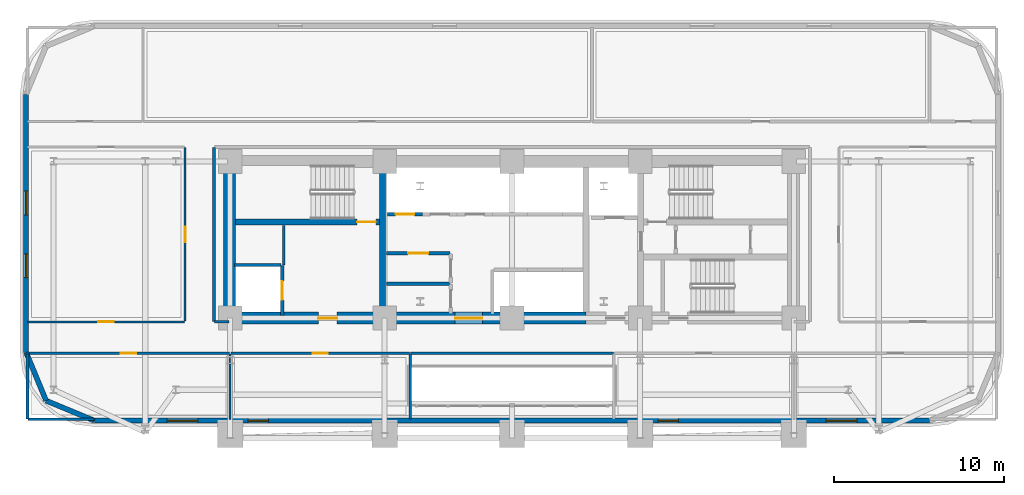
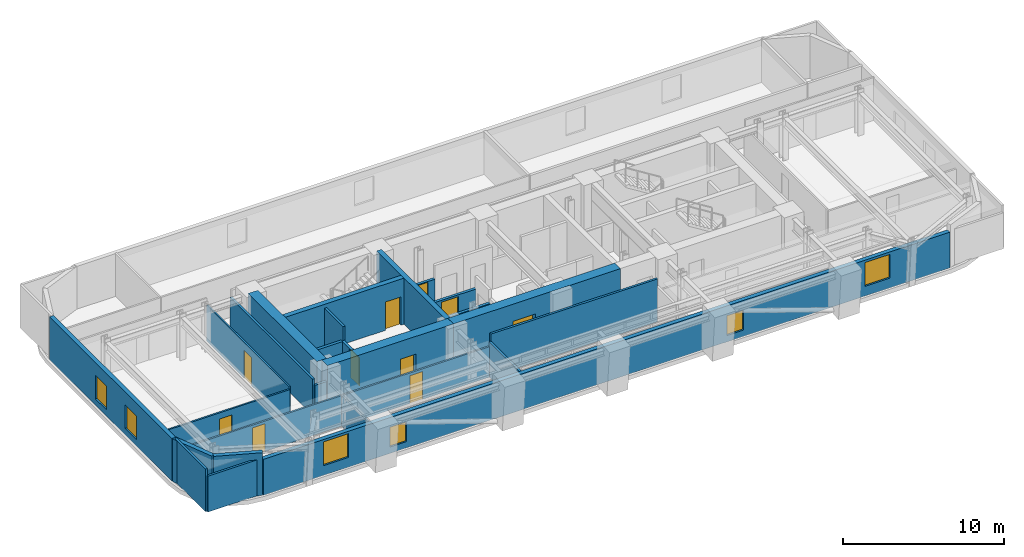
# One storey, part 8 of 15: 26 walls, 10 doors, 6 windows, 16 openings.
"""IFC4 building model written with IfcOpenShell, lengths in metres."""

from ifc_helpers import new_model, si_unit, direction, frame, frame_2d, origin, place, context, subcontext, project, spatial, rectangle, extrude, material, layer, layer_set, type_object, element, fill, save


model = new_model("IFC4")

# Units and contexts
model_context = context("Model", 3, precision=1e-05, world=origin(), true_north=direction((0.0, 1.0)))
body_context = subcontext(model_context, "Body", "Model", "MODEL_VIEW")
ifc_project = project(units=[si_unit("LENGTHUNIT", "METRE"), si_unit("AREAUNIT", "SQUARE_METRE"), si_unit("VOLUMEUNIT", "CUBIC_METRE"), si_unit("PLANEANGLEUNIT", "RADIAN"), si_unit("MASSUNIT", "GRAM", prefix="KILO")], contexts=[model_context])

# Site, building, storey
site_placement = place(None, origin())
site = spatial("IfcSite", under=ifc_project, at=site_placement, CompositionType="ELEMENT")
building_placement = place(site_placement, origin())
building = spatial("IfcBuilding", under=site, at=building_placement, Name="Zarnavel Station Tower", CompositionType="ELEMENT")
storey_placement = place(building_placement, frame((0.0, 0.0, 57.0)))
storey = spatial("IfcBuildingStorey", under=building, at=storey_placement, Name="L15", CompositionType="ELEMENT", Elevation=57.0)

# Wall
ifc_material_1 = material(Name="Concrete C50/60", Category="concrete")
ifc_layer_1 = layer(ifc_material_1, 0.35009765625)
ifc_layer_set_1 = layer_set([ifc_layer_1], Name="CW_350")
wall_type_1 = type_object("IfcWallType", Name="CW_350", PredefinedType="SHEAR", material=ifc_layer_set_1)
wall_1_placement = place(storey_placement, frame((21.179931640625, 28.169921875, 0.0), z_axis=(0.0, 0.0, 1.0), x_axis=(0.0, 1.0, 0.0)))
element("IfcWall", 1, at=wall_1_placement, inside=storey, type_object=wall_type_1, Name="L15 Rear Core Shear Wall DIV-W", PredefinedType="SHEAR", context=body_context, shape_type="SweptSolid", body=[
    extrude(rectangle(XDim=8.530029296875, YDim=0.35009765625, at=frame_2d((4.26513671875, 0.0))), origin(), (0.0, 0.0, 1.0), 3.5),
])

# Wall, opening, door
wall_2_placement = place(storey_placement, frame((21.0048828125, 33.47998046875, 0.0), z_axis=(0.0, 0.0, 1.0), x_axis=(-1.0, 0.0, 0.0)))
wall_2 = element("IfcWall", 2, at=wall_2_placement, inside=storey, type_object=wall_type_1, Name="L15 Rear Core Shear Wall DIV-H1", PredefinedType="SHEAR", context=body_context, shape_type="SweptSolid", body=[
    extrude(rectangle(XDim=8.5048828125, YDim=0.35009765625, at=frame_2d((4.25244140625, 0.0))), origin(), (0.0, 0.0, 1.0), 3.5),
])
opening_1_placement = place(wall_2_placement, frame((0.219970703125, 0.0, 0.0)))
opening_1 = element("IfcOpeningElement", 3, at=opening_1_placement, cuts=wall_2, Name="Opening FD01", PredefinedType="OPENING", context=body_context, shape_type="SweptSolid", body=[
    extrude(rectangle(XDim=1.10009765625, YDim=2.14990234375, at=frame_2d((0.550048828125, 1.074951171875))), frame((0.0, 0.18505859375, 0.0), z_axis=(0.0, -1.0, 0.0), x_axis=(1.0, 0.0, 0.0)), (0.0, 0.0, 1.0), 0.3701171875),
])
ifc_material_2 = material(Name="Painted Galvanised Steel and Hardwood Leaf", Category="steel")
door_type_1 = type_object("IfcDoorType", Name="ID_STAIR_1100", OperationType="NOTDEFINED", PredefinedType="DOOR", material=ifc_material_2)
door_1_placement = place(opening_1_placement, origin())
door_1 = element("IfcDoor", 4, at=door_1_placement, inside=storey, type_object=door_type_1, Name="L15 Stair ST1 Lobby Fire Door", OperationType="SINGLE_SWING_LEFT", OverallHeight=2.14990234375, OverallWidth=1.10009765625, PredefinedType="DOOR", context=body_context, shape_type="SweptSolid", body=[
    extrude(rectangle(XDim=1.10009765625, YDim=2.14990234375, at=frame_2d((0.550048828125, 1.074951171875))), frame((0.0, 0.02490234375, 0.0), z_axis=(0.0, -1.0, 0.0), x_axis=(1.0, 0.0, 0.0)), (0.0, 0.0, 1.0), 0.050048828125),
])
fill(opening_1, door_1)

ifc_material_3 = material(Name="Concrete C60/75", Category="concrete")
ifc_layer_2 = layer(ifc_material_3, 0.699951171875)
ifc_layer_set_2 = layer_set([ifc_layer_2], Name="CW_700")
wall_type_2 = type_object("IfcWallType", Name="CW_700", PredefinedType="SHEAR", material=ifc_layer_set_2)
wall_3_placement = place(storey_placement, frame((21.179931640625, 27.820068359375, 0.0), z_axis=(0.0, 0.0, 1.0), x_axis=(-1.0, 0.0, 0.0)))
wall_3 = element("IfcWall", 5, at=wall_3_placement, inside=storey, type_object=wall_type_2, Name="L15 Rear Core Shear Wall S-W", PredefinedType="SHEAR", context=body_context, shape_type="SweptSolid", body=[
    extrude(rectangle(XDim=9.030029296875, YDim=0.699951171875, at=frame_2d((4.51513671875, 0.0))), origin(), (0.0, 0.0, 1.0), 3.5),
])
opening_2_placement = place(wall_3_placement, frame((2.679931640625, 0.0, 0.0)))
opening_2 = element("IfcOpeningElement", 6, at=opening_2_placement, cuts=wall_3, Name="Opening FD01", PredefinedType="OPENING", context=body_context, shape_type="SweptSolid", body=[
    extrude(rectangle(XDim=1.10009765625, YDim=2.14990234375, at=frame_2d((0.550048828125, 1.074951171875))), frame((0.0, 0.35986328125, 0.0), z_axis=(0.0, -1.0, 0.0), x_axis=(1.0, 0.0, 0.0)), (0.0, 0.0, 1.0), 0.719970703125),
])
door_2_placement = place(opening_2_placement, origin())
door_2 = element("IfcDoor", 7, at=door_2_placement, inside=storey, type_object=door_type_1, Name="L15 West Firefighting Lobby Door", OperationType="SINGLE_SWING_RIGHT", OverallHeight=2.14990234375, OverallWidth=1.10009765625, PredefinedType="DOOR", context=body_context, shape_type="SweptSolid", body=[
    extrude(rectangle(XDim=1.10009765625, YDim=2.14990234375, at=frame_2d((0.550048828125, 1.074951171875))), frame((0.0, 0.02490234375, 0.0), z_axis=(0.0, -1.0, 0.0), x_axis=(1.0, 0.0, 0.0)), (0.0, 0.0, 1.0), 0.050048828125),
])
fill(opening_2, door_2)

wall_4_placement = place(storey_placement, frame((33.14990234375, 27.820068359375, 0.0), z_axis=(0.0, 0.0, 1.0), x_axis=(-1.0, 0.0, 0.0)))
wall_4 = element("IfcWall", 8, at=wall_4_placement, inside=storey, type_object=wall_type_2, Name="L15 Rear Core Shear Wall S-M", PredefinedType="SHEAR", context=body_context, shape_type="SweptSolid", body=[
    extrude(rectangle(XDim=11.969970703125, YDim=0.699951171875, at=frame_2d((5.98486328125, 0.0))), origin(), (0.0, 0.0, 1.0), 3.5),
])
opening_3_placement = place(wall_4_placement, frame((6.10009765625, 0.0, 0.0)))
opening_3 = element("IfcOpeningElement", 9, at=opening_3_placement, cuts=wall_4, Name="Opening ID03", PredefinedType="OPENING", context=body_context, shape_type="SweptSolid", body=[
    extrude(rectangle(XDim=1.60009765625, YDim=2.199951171875, at=frame_2d((0.800048828125, 1.10009765625))), frame((0.0, 0.35986328125, 0.0), z_axis=(0.0, -1.0, 0.0), x_axis=(1.0, 0.0, 0.0)), (0.0, 0.0, 1.0), 0.719970703125),
])
ifc_material_4 = material(Name="Painted Galvanised Steel and Hardwood Leaf", Category="steel")
door_type_2 = type_object("IfcDoorType", Name="ID_PUBLIC_1600", OperationType="DOUBLE_DOOR_SINGLE_SWING", PredefinedType="DOOR", material=ifc_material_4)
door_3_placement = place(opening_3_placement, origin())
door_3 = element("IfcDoor", 10, at=door_3_placement, inside=storey, type_object=door_type_2, Name="L15 Passenger Lift Lobby Double Door", OperationType="SINGLE_SWING_LEFT", OverallHeight=2.199951171875, OverallWidth=1.60009765625, PredefinedType="DOOR", context=body_context, shape_type="SweptSolid", body=[
    extrude(rectangle(XDim=1.60009765625, YDim=2.199951171875, at=frame_2d((0.800048828125, 1.10009765625))), frame((0.0, 0.02490234375, 0.0), z_axis=(0.0, -1.0, 0.0), x_axis=(1.0, 0.0, 0.0)), (0.0, 0.0, 1.0), 0.050048828125),
])
fill(opening_3, door_3)

# Wall
wall_5_placement = place(storey_placement, frame((12.14990234375, 28.169921875, 0.0), z_axis=(0.0, 0.0, 1.0), x_axis=(0.0, 1.0, 0.0)))
element("IfcWall", 11, at=wall_5_placement, inside=storey, type_object=wall_type_2, Name="L15 Rear Core Shear Wall W", PredefinedType="SHEAR", context=body_context, shape_type="SweptSolid", body=[
    extrude(rectangle(XDim=8.530029296875, YDim=0.699951171875, at=frame_2d((4.26513671875, 0.0))), origin(), (0.0, 0.0, 1.0), 3.5),
])

# Wall, openings, windows
ifc_material_5 = material(Name="Precast concrete C45/55 (Dark Basalt Finish)", Category="masonry")
ifc_layer_3 = layer(ifc_material_5, 0.300048828125)
ifc_layer_set_3 = layer_set([ifc_layer_3], Name="EW_BASALT_300")
wall_type_3 = type_object("IfcWallType", Name="EW_BASALT_300", PredefinedType="SOLIDWALL", material=ifc_layer_set_3)
wall_6_placement = place(storey_placement, frame((0.179931640625, 25.800048828125, 0.0), z_axis=(0.0, 0.0, 1.0), x_axis=(0.0, 1.0, 0.0)))
wall_6 = element("IfcWall", 12, at=wall_6_placement, inside=storey, type_object=wall_type_3, Name="L15 Exterior Basalt Masonry Frame Wall 09", PredefinedType="SOLIDWALL", context=body_context, shape_type="SweptSolid", body=[
    extrude(rectangle(XDim=15.199951171875, YDim=0.300048828125, at=frame_2d((7.60009765625, 0.0))), origin(), (0.0, 0.0, 1.0), 3.239990234375),
])
opening_4_placement = place(wall_6_placement, frame((4.39990234375, 0.0, 0.47998046875)))
opening_4 = element("IfcOpeningElement", 13, at=opening_4_placement, cuts=wall_6, Name="Opening WN01", PredefinedType="OPENING", context=body_context, shape_type="SweptSolid", body=[
    extrude(rectangle(XDim=1.39990234375, YDim=1.800048828125, at=frame_2d((0.699951171875, 0.89990234375))), frame((0.0, 0.159912109375, 0.0), z_axis=(0.0, -1.0, 0.0), x_axis=(1.0, 0.0, 0.0)), (0.0, 0.0, 1.0), 0.320068359375),
])
opening_5_placement = place(wall_6_placement, frame((8.10009765625, 0.0, 0.47998046875)))
opening_5 = element("IfcOpeningElement", 14, at=opening_5_placement, cuts=wall_6, Name="Opening WN01", PredefinedType="OPENING", context=body_context, shape_type="SweptSolid", body=[
    extrude(rectangle(XDim=1.39990234375, YDim=1.800048828125, at=frame_2d((0.699951171875, 0.89990234375))), frame((0.0, 0.159912109375, 0.0), z_axis=(0.0, -1.0, 0.0), x_axis=(1.0, 0.0, 0.0)), (0.0, 0.0, 1.0), 0.320068359375),
])
ifc_material_6 = material(Name="Thermally Broken Black Aluminium and Low-E Dark Glass", Category="aluminium")
window_type_1 = type_object("IfcWindowType", Name="WN_1400x1800", PartitioningType="DOUBLE_PANEL_VERTICAL", PredefinedType="WINDOW", material=ifc_material_6)
window_1_placement = place(opening_4_placement, origin())
window_1 = element("IfcWindow", 15, at=window_1_placement, inside=storey, type_object=window_type_1, Name="L15 Recessed Facade Window 01", OverallHeight=1.800048828125, OverallWidth=1.39990234375, PartitioningType="SINGLE_PANEL", PredefinedType="WINDOW", context=body_context, shape_type="SweptSolid", body=[
    extrude(rectangle(XDim=1.39990234375, YDim=1.800048828125, at=frame_2d((0.699951171875, 0.89990234375))), frame((0.0, 0.030029296875, 0.0), z_axis=(0.0, -1.0, 0.0), x_axis=(1.0, 0.0, 0.0)), (0.0, 0.0, 1.0), 0.06005859375),
])
fill(opening_4, window_1)
window_2_placement = place(opening_5_placement, origin())
window_2 = element("IfcWindow", 16, at=window_2_placement, inside=storey, type_object=window_type_1, Name="L15 Recessed Facade Window 02", OverallHeight=1.800048828125, OverallWidth=1.39990234375, PartitioningType="SINGLE_PANEL", PredefinedType="WINDOW", context=body_context, shape_type="SweptSolid", body=[
    extrude(rectangle(XDim=1.39990234375, YDim=1.800048828125, at=frame_2d((0.699951171875, 0.89990234375))), frame((0.0, 0.030029296875, 0.0), z_axis=(0.0, -1.0, 0.0), x_axis=(1.0, 0.0, 0.0)), (0.0, 0.0, 1.0), 0.06005859375),
])
fill(opening_5, window_2)

# Walls
for number, where, z_axis, x_axis, name in (
    (17, (1.357421875, 22.95751953125, 0.0), (0.0, 0.0, 1.0), (-0.382704529509, 0.923870793506, 0.0), "L15 Exterior Basalt Masonry Frame Wall 10"),
    (18, (4.199951171875, 21.780029296875, 0.0), (0.0, 0.0, 1.0), (-0.923870793506, 0.382704529509, 0.0), "L15 Exterior Basalt Masonry Frame Wall 11"),
):
    element("IfcWall", number, at=place(storey_placement, frame(where, z_axis=z_axis, x_axis=x_axis)), inside=storey, type_object=wall_type_3, Name=name, PredefinedType="SOLIDWALL", context=body_context, shape_type="SweptSolid", body=[
        extrude(rectangle(XDim=3.07666015625, YDim=0.300048828125, at=frame_2d((1.538330078125, 0.0))), origin(), (0.0, 0.0, 1.0), 3.239990234375),
    ])

# Wall, openings, windows
wall_7_placement = place(storey_placement, frame((53.39990234375, 21.780029296875, 0.0), z_axis=(0.0, 0.0, 1.0), x_axis=(-1.0, 0.0, 0.0)))
wall_7 = element("IfcWall", 19, at=wall_7_placement, inside=storey, type_object=wall_type_3, Name="L15 Exterior Basalt Masonry Frame Wall 12", PredefinedType="SOLIDWALL", context=body_context, shape_type="SweptSolid", body=[
    extrude(rectangle(XDim=49.199951171875, YDim=0.300048828125, at=frame_2d((24.60009765625, 0.0))), origin(), (0.0, 0.0, 1.0), 2.719970703125),
])
opening_6_placement = place(wall_7_placement, frame((43.109375, 0.0, 0.739990234375)))
opening_6 = element("IfcOpeningElement", 20, at=opening_6_placement, cuts=wall_7, Name="Opening WN02", PredefinedType="OPENING", context=body_context, shape_type="SweptSolid", body=[
    extrude(rectangle(XDim=1.800048828125, YDim=1.800048828125, at=frame_2d((0.89990234375, 0.89990234375))), frame((0.0, 0.159912109375, 0.0), z_axis=(0.0, -1.0, 0.0), x_axis=(1.0, 0.0, 0.0)), (0.0, 0.0, 1.0), 0.320068359375),
])
opening_7_placement = place(wall_7_placement, frame((38.9482421875, 0.0, 0.47998046875)))
opening_7 = element("IfcOpeningElement", 21, at=opening_7_placement, cuts=wall_7, Name="Opening WN08", PredefinedType="OPENING", context=body_context, shape_type="SweptSolid", body=[
    extrude(rectangle(XDim=1.199951171875, YDim=1.5, at=frame_2d((0.60009765625, 0.75))), frame((0.0, 0.159912109375, 0.0), z_axis=(0.0, -1.0, 0.0), x_axis=(1.0, 0.0, 0.0)), (0.0, 0.0, 1.0), 0.320068359375),
])
opening_8_placement = place(wall_7_placement, frame((14.79833984375, 0.0, 0.47998046875)))
opening_8 = element("IfcOpeningElement", 22, at=opening_8_placement, cuts=wall_7, Name="Opening WN08", PredefinedType="OPENING", context=body_context, shape_type="SweptSolid", body=[
    extrude(rectangle(XDim=1.199951171875, YDim=1.5, at=frame_2d((0.60009765625, 0.75))), frame((0.0, 0.159912109375, 0.0), z_axis=(0.0, -1.0, 0.0), x_axis=(1.0, 0.0, 0.0)), (0.0, 0.0, 1.0), 0.320068359375),
])
opening_9_placement = place(wall_7_placement, frame((4.29052734375, 0.0, 0.739990234375)))
opening_9 = element("IfcOpeningElement", 23, at=opening_9_placement, cuts=wall_7, Name="Opening WN02", PredefinedType="OPENING", context=body_context, shape_type="SweptSolid", body=[
    extrude(rectangle(XDim=1.800048828125, YDim=1.800048828125, at=frame_2d((0.89990234375, 0.89990234375))), frame((0.0, 0.159912109375, 0.0), z_axis=(0.0, -1.0, 0.0), x_axis=(1.0, 0.0, 0.0)), (0.0, 0.0, 1.0), 0.320068359375),
])
ifc_material_7 = material(Name="Thermally Broken Black Aluminium and Low-E Dark Glass", Category="aluminium")
window_type_2 = type_object("IfcWindowType", Name="WN_1200x1500", PartitioningType="SINGLE_PANEL", PredefinedType="WINDOW", material=ifc_material_7)
window_3_placement = place(opening_7_placement, origin())
window_3 = element("IfcWindow", 24, at=window_3_placement, inside=storey, type_object=window_type_2, Name="L15 Recessed Facade Window 02", OverallHeight=1.5, OverallWidth=1.199951171875, PartitioningType="SINGLE_PANEL", PredefinedType="WINDOW", context=body_context, shape_type="SweptSolid", body=[
    extrude(rectangle(XDim=1.199951171875, YDim=1.5, at=frame_2d((0.60009765625, 0.75))), frame((0.0, 0.030029296875, 0.0), z_axis=(0.0, -1.0, 0.0), x_axis=(1.0, 0.0, 0.0)), (0.0, 0.0, 1.0), 0.06005859375),
])
fill(opening_7, window_3)
window_4_placement = place(opening_8_placement, origin())
window_4 = element("IfcWindow", 25, at=window_4_placement, inside=storey, type_object=window_type_2, Name="L15 Recessed Facade Window 03", OverallHeight=1.5, OverallWidth=1.199951171875, PartitioningType="SINGLE_PANEL", PredefinedType="WINDOW", context=body_context, shape_type="SweptSolid", body=[
    extrude(rectangle(XDim=1.199951171875, YDim=1.5, at=frame_2d((0.60009765625, 0.75))), frame((0.0, 0.030029296875, 0.0), z_axis=(0.0, -1.0, 0.0), x_axis=(1.0, 0.0, 0.0)), (0.0, 0.0, 1.0), 0.06005859375),
])
fill(opening_8, window_4)
ifc_material_8 = material(Name="Thermally Broken Black Aluminium and Low-E Dark Glass", Category="aluminium")
window_type_3 = type_object("IfcWindowType", Name="WN_1800x1800", PartitioningType="DOUBLE_PANEL_VERTICAL", PredefinedType="WINDOW", material=ifc_material_8)
window_5_placement = place(opening_6_placement, origin())
window_5 = element("IfcWindow", 26, at=window_5_placement, inside=storey, type_object=window_type_3, Name="L15 Recessed Facade Window 01", OverallHeight=1.800048828125, OverallWidth=1.800048828125, PartitioningType="SINGLE_PANEL", PredefinedType="WINDOW", context=body_context, shape_type="SweptSolid", body=[
    extrude(rectangle(XDim=1.800048828125, YDim=1.800048828125, at=frame_2d((0.89990234375, 0.89990234375))), frame((0.0, 0.030029296875, 0.0), z_axis=(0.0, -1.0, 0.0), x_axis=(1.0, 0.0, 0.0)), (0.0, 0.0, 1.0), 0.06005859375),
])
fill(opening_6, window_5)
window_6_placement = place(opening_9_placement, origin())
window_6 = element("IfcWindow", 27, at=window_6_placement, inside=storey, type_object=window_type_3, Name="L15 Recessed Facade Window 04", OverallHeight=1.800048828125, OverallWidth=1.800048828125, PartitioningType="SINGLE_PANEL", PredefinedType="WINDOW", context=body_context, shape_type="SweptSolid", body=[
    extrude(rectangle(XDim=1.800048828125, YDim=1.800048828125, at=frame_2d((0.89990234375, 0.89990234375))), frame((0.0, 0.030029296875, 0.0), z_axis=(0.0, -1.0, 0.0), x_axis=(1.0, 0.0, 0.0)), (0.0, 0.0, 1.0), 0.06005859375),
])
fill(opening_9, window_6)

# Walls
ifc_material_9 = material(Name="Gypsum Twin-Stud Acoustic Fire Partition", Category="concrete")
ifc_layer_4 = layer(ifc_material_9, 0.159912109375)
ifc_layer_set_4 = layer_set([ifc_layer_4], Name="PT_DEMISE_160")
wall_type_4 = type_object("IfcWallType", Name="PT_DEMISE_160", PredefinedType="PARTITIONING", material=ifc_layer_set_4)
wall_8_placement = place(storey_placement, frame((15.35009765625, 30.9599609375, 0.0), z_axis=(0.0, 0.0, 1.0), x_axis=(0.0, 1.0, 0.0)))
element("IfcWall", 28, at=wall_8_placement, inside=storey, type_object=wall_type_4, Name="L15 Enclosure Wall FFL1", PredefinedType="PARTITIONING", context=body_context, shape_type="SweptSolid", body=[
    extrude(rectangle(XDim=2.31005859375, YDim=0.159912109375, at=frame_2d((1.155029296875, 0.0))), origin(), (0.0, 0.0, 1.0), 3.239990234375),
])
wall_9_placement = place(storey_placement, frame((22.830078125, 25.75, 0.0), z_axis=(0.0, 0.0, 1.0), x_axis=(1.0, 0.0, 0.0)))
element("IfcWall", 29, at=wall_9_placement, inside=storey, type_object=wall_type_4, Name="L15 Enclosure Wall COR-S", PredefinedType="PARTITIONING", context=body_context, shape_type="SweptSolid", body=[
    extrude(rectangle(XDim=11.93994140625, YDim=0.159912109375, at=frame_2d((5.969970703125, 0.0))), origin(), (0.0, 0.0, 1.0), 3.239990234375),
])
wall_10_placement = place(storey_placement, frame((11.280029296875, 27.60009765625, 0.0), z_axis=(0.0, 0.0, 1.0), x_axis=(1.0, 0.0, 0.0)))
element("IfcWall", 30, at=wall_10_placement, inside=storey, type_object=wall_type_4, Name="L15 Enclosure Wall COR-S", PredefinedType="PARTITIONING", context=body_context, shape_type="SweptSolid", body=[
    extrude(rectangle(XDim=0.840087890625, YDim=0.159912109375, at=frame_2d((0.419921875, 0.0))), origin(), (0.0, 0.0, 1.0), 2.280029296875),
])
wall_11_placement = place(storey_placement, frame((11.25, 27.6298828125, 0.0), z_axis=(0.0, 0.0, 1.0), x_axis=(0.0, 1.0, 0.0)))
element("IfcWall", 31, at=wall_11_placement, inside=storey, type_object=wall_type_4, Name="L15 Enclosure Wall COR-W", PredefinedType="PARTITIONING", context=body_context, shape_type="SweptSolid", body=[
    extrude(rectangle(XDim=10.240234375, YDim=0.159912109375, at=frame_2d((5.1201171875, 0.0))), origin(), (0.0, 0.0, 1.0), 2.719970703125),
])
wall_12_placement = place(storey_placement, frame((0.2900390625, 21.860107421875, 0.0), z_axis=(0.0, 0.0, 1.0), x_axis=(1.0, 0.0, 0.0)))
element("IfcWall", 32, at=wall_12_placement, inside=storey, type_object=wall_type_4, Name="L15 Enclosure Wall Z1GAL", PredefinedType="PARTITIONING", context=body_context, shape_type="SweptSolid", body=[
    extrude(rectangle(XDim=3.8798828125, YDim=0.159912109375, at=frame_2d((1.93994140625, 0.0))), origin(), (0.0, 0.0, 1.0), 2.719970703125),
])
wall_13_placement = place(storey_placement, frame((0.260009765625, 21.889892578125, 0.0), z_axis=(0.0, 0.0, 1.0), x_axis=(0.0, 1.0, 0.0)))
element("IfcWall", 33, at=wall_13_placement, inside=storey, type_object=wall_type_4, Name="L15 Enclosure Wall Z1GAL", PredefinedType="PARTITIONING", context=body_context, shape_type="SweptSolid", body=[
    extrude(rectangle(XDim=3.830078125, YDim=0.159912109375, at=frame_2d((1.9150390625, 0.0))), origin(), (0.0, 0.0, 1.0), 3.239990234375),
])
wall_14_placement = place(storey_placement, frame((22.800048828125, 21.889892578125, 0.0), z_axis=(0.0, 0.0, 1.0), x_axis=(0.0, 1.0, 0.0)))
element("IfcWall", 34, at=wall_14_placement, inside=storey, type_object=wall_type_4, Name="L15 Enclosure Wall Z1LIB", PredefinedType="PARTITIONING", context=body_context, shape_type="SweptSolid", body=[
    extrude(rectangle(XDim=3.830078125, YDim=0.159912109375, at=frame_2d((1.9150390625, 0.0))), origin(), (0.0, 0.0, 1.0), 2.679931640625),
])

# Wall, opening, door
ifc_material_10 = material(Name="Gypsum Metal-Stud Interior Partition", Category="concrete")
ifc_layer_5 = layer(ifc_material_10, 0.1201171875)
ifc_layer_set_5 = layer_set([ifc_layer_5], Name="PT_ROOM_120")
wall_type_5 = type_object("IfcWallType", Name="PT_ROOM_120", PredefinedType="PARTITIONING", material=ifc_layer_set_5)
wall_15_placement = place(storey_placement, frame((0.260009765625, 27.60009765625, 0.0), z_axis=(0.0, 0.0, 1.0), x_axis=(1.0, 0.0, 0.0)))
wall_15 = element("IfcWall", 35, at=wall_15_placement, inside=storey, type_object=wall_type_5, Name="L15 Partition COR-S-FNW4", PredefinedType="PARTITIONING", context=body_context, shape_type="SweptSolid", body=[
    extrude(rectangle(XDim=9.25, YDim=0.1201171875, at=frame_2d((4.625, 0.0))), origin(), (0.0, 0.0, 1.0), 2.570068359375),
])
opening_10_placement = place(wall_15_placement, frame((4.175048828125, 0.0, 0.0)))
opening_10 = element("IfcOpeningElement", 36, at=opening_10_placement, cuts=wall_15, Name="Opening ID01", PredefinedType="OPENING", context=body_context, shape_type="SweptSolid", body=[
    extrude(rectangle(XDim=0.89990234375, YDim=2.10009765625, at=frame_2d((0.449951171875, 1.050048828125))), frame((0.0, 0.070068359375, 0.0), z_axis=(0.0, -1.0, 0.0), x_axis=(1.0, 0.0, 0.0)), (0.0, 0.0, 1.0), 0.14013671875),
])
ifc_material_11 = material(Name="Painted Galvanised Steel and Hardwood Leaf", Category="steel")
door_type_3 = type_object("IfcDoorType", Name="ID_ROOM_900", OperationType="NOTDEFINED", PredefinedType="DOOR", material=ifc_material_11)
door_4_placement = place(opening_10_placement, origin())
door_4 = element("IfcDoor", 37, at=door_4_placement, inside=storey, type_object=door_type_3, Name="L15 Door COR-S-FNW4", OperationType="SINGLE_SWING_RIGHT", OverallHeight=2.10009765625, OverallWidth=0.89990234375, PredefinedType="DOOR", context=body_context, shape_type="SweptSolid", body=[
    extrude(rectangle(XDim=0.89990234375, YDim=2.10009765625, at=frame_2d((0.449951171875, 1.050048828125))), frame((0.0, 0.02490234375, 0.0), z_axis=(0.0, -1.0, 0.0), x_axis=(1.0, 0.0, 0.0)), (0.0, 0.0, 1.0), 0.050048828125),
])
fill(opening_10, door_4)

wall_16_placement = place(storey_placement, frame((0.260009765625, 25.75, 0.0), z_axis=(0.0, 0.0, 1.0), x_axis=(1.0, 0.0, 0.0)))
wall_16 = element("IfcWall", 38, at=wall_16_placement, inside=storey, type_object=wall_type_5, Name="L15 Partition COR-S-Z1GAL", PredefinedType="PARTITIONING", context=body_context, shape_type="SweptSolid", body=[
    extrude(rectangle(XDim=11.89990234375, YDim=0.1201171875, at=frame_2d((5.949951171875, 0.0))), origin(), (0.0, 0.0, 1.0), 2.31005859375),
])
opening_11_placement = place(wall_16_placement, frame((5.5, 0.0, 0.0)))
opening_11 = element("IfcOpeningElement", 39, at=opening_11_placement, cuts=wall_16, Name="Opening ID01", PredefinedType="OPENING", context=body_context, shape_type="SweptSolid", body=[
    extrude(rectangle(XDim=0.89990234375, YDim=2.10009765625, at=frame_2d((0.449951171875, 1.050048828125))), frame((0.0, 0.070068359375, 0.0), z_axis=(0.0, -1.0, 0.0), x_axis=(1.0, 0.0, 0.0)), (0.0, 0.0, 1.0), 0.14013671875),
])
door_5_placement = place(opening_11_placement, origin())
door_5 = element("IfcDoor", 40, at=door_5_placement, inside=storey, type_object=door_type_3, Name="L15 Door COR-S-Z1GAL", OperationType="SINGLE_SWING_RIGHT", OverallHeight=2.10009765625, OverallWidth=0.89990234375, PredefinedType="DOOR", context=body_context, shape_type="SweptSolid", body=[
    extrude(rectangle(XDim=0.89990234375, YDim=2.10009765625, at=frame_2d((0.449951171875, 1.050048828125))), frame((0.0, 0.02490234375, 0.0), z_axis=(0.0, -1.0, 0.0), x_axis=(1.0, 0.0, 0.0)), (0.0, 0.0, 1.0), 0.050048828125),
])
fill(opening_11, door_5)

wall_17_placement = place(storey_placement, frame((12.239990234375, 25.75, 0.0), z_axis=(0.0, 0.0, 1.0), x_axis=(1.0, 0.0, 0.0)))
wall_17 = element("IfcWall", 41, at=wall_17_placement, inside=storey, type_object=wall_type_5, Name="L15 Partition COR-S-Z1LIB", PredefinedType="PARTITIONING", context=body_context, shape_type="SweptSolid", body=[
    extrude(rectangle(XDim=10.52001953125, YDim=0.1201171875, at=frame_2d((5.260009765625, 0.0))), origin(), (0.0, 0.0, 1.0), 2.31005859375),
])
opening_12_placement = place(wall_17_placement, frame((4.81005859375, 0.0, 0.0)))
opening_12 = element("IfcOpeningElement", 42, at=opening_12_placement, cuts=wall_17, Name="Opening ID01", PredefinedType="OPENING", context=body_context, shape_type="SweptSolid", body=[
    extrude(rectangle(XDim=0.89990234375, YDim=2.10009765625, at=frame_2d((0.449951171875, 1.050048828125))), frame((0.0, 0.070068359375, 0.0), z_axis=(0.0, -1.0, 0.0), x_axis=(1.0, 0.0, 0.0)), (0.0, 0.0, 1.0), 0.14013671875),
])
door_6_placement = place(opening_12_placement, origin())
door_6 = element("IfcDoor", 43, at=door_6_placement, inside=storey, type_object=door_type_3, Name="L15 Door COR-S-Z1LIB", OperationType="SINGLE_SWING_LEFT", OverallHeight=2.10009765625, OverallWidth=0.89990234375, PredefinedType="DOOR", context=body_context, shape_type="SweptSolid", body=[
    extrude(rectangle(XDim=0.89990234375, YDim=2.10009765625, at=frame_2d((0.449951171875, 1.050048828125))), frame((0.0, 0.02490234375, 0.0), z_axis=(0.0, -1.0, 0.0), x_axis=(1.0, 0.0, 0.0)), (0.0, 0.0, 1.0), 0.050048828125),
])
fill(opening_12, door_6)

wall_18_placement = place(storey_placement, frame((9.550048828125, 27.639892578125, 0.0), z_axis=(0.0, 0.0, 1.0), x_axis=(0.0, 1.0, 0.0)))
wall_18 = element("IfcWall", 44, at=wall_18_placement, inside=storey, type_object=wall_type_5, Name="L15 Partition COR-W-FNW4", PredefinedType="PARTITIONING", context=body_context, shape_type="SweptSolid", body=[
    extrude(rectangle(XDim=10.22021484375, YDim=0.1201171875, at=frame_2d((5.110107421875, 0.0))), origin(), (0.0, 0.0, 1.0), 2.719970703125),
])
opening_13_placement = place(wall_18_placement, frame((4.659912109375, 0.0, 0.0)))
opening_13 = element("IfcOpeningElement", 45, at=opening_13_placement, cuts=wall_18, Name="Opening ID01", PredefinedType="OPENING", context=body_context, shape_type="SweptSolid", body=[
    extrude(rectangle(XDim=0.89990234375, YDim=2.10009765625, at=frame_2d((0.449951171875, 1.050048828125))), frame((0.0, 0.070068359375, 0.0), z_axis=(0.0, -1.0, 0.0), x_axis=(1.0, 0.0, 0.0)), (0.0, 0.0, 1.0), 0.14013671875),
])
door_7_placement = place(opening_13_placement, origin())
door_7 = element("IfcDoor", 46, at=door_7_placement, inside=storey, type_object=door_type_3, Name="L15 Door COR-W-FNW4", OperationType="SINGLE_SWING_RIGHT", OverallHeight=2.10009765625, OverallWidth=0.89990234375, PredefinedType="DOOR", context=body_context, shape_type="SweptSolid", body=[
    extrude(rectangle(XDim=0.89990234375, YDim=2.10009765625, at=frame_2d((0.449951171875, 1.050048828125))), frame((0.0, 0.02490234375, 0.0), z_axis=(0.0, -1.0, 0.0), x_axis=(1.0, 0.0, 0.0)), (0.0, 0.0, 1.0), 0.050048828125),
])
fill(opening_13, door_7)

# Wall
wall_19_placement = place(storey_placement, frame((12.199951171875, 21.860107421875, 0.0), z_axis=(0.0, 0.0, 1.0), x_axis=(0.0, 1.0, 0.0)))
element("IfcWall", 47, at=wall_19_placement, inside=storey, type_object=wall_type_5, Name="L15 Partition Z1GAL-Z1LIB", PredefinedType="PARTITIONING", context=body_context, shape_type="SweptSolid", body=[
    extrude(rectangle(XDim=3.849853515625, YDim=0.1201171875, at=frame_2d((1.9248046875, 0.0))), origin(), (0.0, 0.0, 1.0), 2.31005859375),
])

# Wall, opening, door
ifc_material_12 = material(Name="Precast concrete C45/55 (Fire Shaft Blockwork)", Category="masonry")
ifc_layer_6 = layer(ifc_material_12, 0.199951171875)
ifc_layer_set_6 = layer_set([ifc_layer_6], Name="PT_SHAFT_200")
wall_type_6 = type_object("IfcWallType", Name="PT_SHAFT_200", PredefinedType="PARTITIONING", material=ifc_layer_set_6)
wall_20_placement = place(storey_placement, frame((15.27001953125, 27.969970703125, 0.0), z_axis=(0.0, 0.0, 1.0), x_axis=(0.0, 1.0, 0.0)))
wall_20 = element("IfcWall", 48, at=wall_20_placement, inside=storey, type_object=wall_type_6, Name="L15 Lift FFL-01 Shaft Front Wall", PredefinedType="PARTITIONING", context=body_context, shape_type="SweptSolid", body=[
    extrude(rectangle(XDim=2.9599609375, YDim=0.199951171875, at=frame_2d((1.47998046875, 0.0))), origin(), (0.0, 0.0, 1.0), 2.2119140625),
])
opening_14_placement = place(wall_20_placement, frame((0.929931640625, 0.0, 0.0)))
opening_14 = element("IfcOpeningElement", 49, at=opening_14_placement, cuts=wall_20, Name="Opening LD01", PredefinedType="OPENING", context=body_context, shape_type="SweptSolid", body=[
    extrude(rectangle(XDim=1.10009765625, YDim=2.14990234375, at=frame_2d((0.550048828125, 1.074951171875))), frame((0.0, 0.10986328125, 0.0), z_axis=(0.0, -1.0, 0.0), x_axis=(1.0, 0.0, 0.0)), (0.0, 0.0, 1.0), 0.219970703125),
])
ifc_material_13 = material(Name="Painted Galvanised Steel and Hardwood Leaf", Category="steel")
door_type_4 = type_object("IfcDoorType", Name="LD_FF_1100", OperationType="DOUBLE_DOOR_SLIDING", PredefinedType="DOOR", material=ifc_material_13)
door_8_placement = place(opening_14_placement, origin())
door_8 = element("IfcDoor", 50, at=door_8_placement, inside=storey, type_object=door_type_4, Name="L15 Lift FFL-01 Sliding Landing Door", OperationType="DOUBLE_DOOR_SLIDING", OverallHeight=2.14990234375, OverallWidth=1.10009765625, PredefinedType="DOOR", context=body_context, shape_type="SweptSolid", body=[
    extrude(rectangle(XDim=1.10009765625, YDim=2.14990234375, at=frame_2d((0.550048828125, 1.074951171875))), frame((0.0, 0.02490234375, 0.0), z_axis=(0.0, -1.0, 0.0), x_axis=(1.0, 0.0, 0.0)), (0.0, 0.0, 1.0), 0.050048828125),
])
fill(opening_14, door_8)

# Wall
wall_21_placement = place(storey_placement, frame((12.449951171875, 30.949951171875, 0.0), z_axis=(0.0, 0.0, 1.0), x_axis=(1.0, 0.0, 0.0)))
element("IfcWall", 51, at=wall_21_placement, inside=storey, type_object=wall_type_6, Name="L15 Lift FFL-01 North Shaft Wall", PredefinedType="PARTITIONING", context=body_context, shape_type="SweptSolid", body=[
    extrude(rectangle(XDim=2.75, YDim=0.199951171875, at=frame_2d((1.375, 0.0))), origin(), (0.0, 0.0, 1.0), 2.2119140625),
])

# Wall, opening, door
wall_22_placement = place(storey_placement, frame((21.4599609375, 33.929931640625, 0.0), z_axis=(0.0, 0.0, 1.0), x_axis=(1.0, 0.0, 0.0)))
wall_22 = element("IfcWall", 52, at=wall_22_placement, inside=storey, type_object=wall_type_6, Name="L15 Lift PL-L1 Shaft Front Wall", PredefinedType="PARTITIONING", context=body_context, shape_type="SweptSolid", body=[
    extrude(rectangle(XDim=2.06494140625, YDim=0.199951171875, at=frame_2d((1.032470703125, 0.0))), origin(), (0.0, 0.0, 1.0), 2.2119140625),
])
opening_15_placement = place(wall_22_placement, frame((0.482421875, 0.0, 0.0)))
opening_15 = element("IfcOpeningElement", 53, at=opening_15_placement, cuts=wall_22, Name="Opening LD02", PredefinedType="OPENING", context=body_context, shape_type="SweptSolid", body=[
    extrude(rectangle(XDim=1.10009765625, YDim=2.14990234375, at=frame_2d((0.550048828125, 1.074951171875))), frame((0.0, 0.10986328125, 0.0), z_axis=(0.0, -1.0, 0.0), x_axis=(1.0, 0.0, 0.0)), (0.0, 0.0, 1.0), 0.219970703125),
])
ifc_material_14 = material(Name="Painted Galvanised Steel and Hardwood Leaf", Category="steel")
door_type_5 = type_object("IfcDoorType", Name="LD_PAX_1100", OperationType="DOUBLE_DOOR_SLIDING", PredefinedType="DOOR", material=ifc_material_14)
door_9_placement = place(opening_15_placement, origin())
door_9 = element("IfcDoor", 54, at=door_9_placement, inside=storey, type_object=door_type_5, Name="L15 Lift PL-L1 Sliding Landing Door", OperationType="DOUBLE_DOOR_SLIDING", OverallHeight=2.14990234375, OverallWidth=1.10009765625, PredefinedType="DOOR", context=body_context, shape_type="SweptSolid", body=[
    extrude(rectangle(XDim=1.10009765625, YDim=2.14990234375, at=frame_2d((0.550048828125, 1.074951171875))), frame((0.0, 0.02490234375, 0.0), z_axis=(0.0, -1.0, 0.0), x_axis=(1.0, 0.0, 0.0)), (0.0, 0.0, 1.0), 0.050048828125),
])
fill(opening_15, door_9)

wall_23_placement = place(storey_placement, frame((21.39990234375, 31.64990234375, 0.0), z_axis=(0.0, 0.0, 1.0), x_axis=(1.0, 0.0, 0.0)))
wall_23 = element("IfcWall", 55, at=wall_23_placement, inside=storey, type_object=wall_type_6, Name="L15 Partition LLOB-CS2", PredefinedType="PARTITIONING", context=body_context, shape_type="SweptSolid", body=[
    extrude(rectangle(XDim=3.760009765625, YDim=0.199951171875, at=frame_2d((1.8798828125, 0.0))), origin(), (0.0, 0.0, 1.0), 2.280029296875),
])
opening_16_placement = place(wall_23_placement, frame((1.280029296875, 0.0, 0.0)))
opening_16 = element("IfcOpeningElement", 56, at=opening_16_placement, cuts=wall_23, Name="Opening FD03", PredefinedType="OPENING", context=body_context, shape_type="SweptSolid", body=[
    extrude(rectangle(XDim=1.199951171875, YDim=2.14990234375, at=frame_2d((0.60009765625, 1.074951171875))), frame((0.0, 0.10986328125, 0.0), z_axis=(0.0, -1.0, 0.0), x_axis=(1.0, 0.0, 0.0)), (0.0, 0.0, 1.0), 0.219970703125),
])
ifc_material_15 = material(Name="Painted Galvanised Steel and Hardwood Leaf", Category="steel")
door_type_6 = type_object("IfcDoorType", Name="ID_PLANT_1200", OperationType="NOTDEFINED", PredefinedType="DOOR", material=ifc_material_15)
door_10_placement = place(opening_16_placement, origin())
door_10 = element("IfcDoor", 57, at=door_10_placement, inside=storey, type_object=door_type_6, Name="L15 Door LLOB-CS2", OperationType="SINGLE_SWING_LEFT", OverallHeight=2.14990234375, OverallWidth=1.199951171875, PredefinedType="DOOR", context=body_context, shape_type="SweptSolid", body=[
    extrude(rectangle(XDim=1.199951171875, YDim=2.14990234375, at=frame_2d((0.60009765625, 1.074951171875))), frame((0.0, 0.02490234375, 0.0), z_axis=(0.0, -1.0, 0.0), x_axis=(1.0, 0.0, 0.0)), (0.0, 0.0, 1.0), 0.050048828125),
])
fill(opening_16, door_10)

# Wall
wall_24_placement = place(storey_placement, frame((21.39990234375, 29.85009765625, 0.0), z_axis=(0.0, 0.0, 1.0), x_axis=(1.0, 0.0, 0.0)))
element("IfcWall", 58, at=wall_24_placement, inside=storey, type_object=wall_type_6, Name="L15 Partition CS1-CS2", PredefinedType="PARTITIONING", context=body_context, shape_type="SweptSolid", body=[
    extrude(rectangle(XDim=3.760009765625, YDim=0.199951171875, at=frame_2d((1.8798828125, 0.0))), origin(), (0.0, 0.0, 1.0), 2.280029296875),
])

save(model, "model.ifc")
